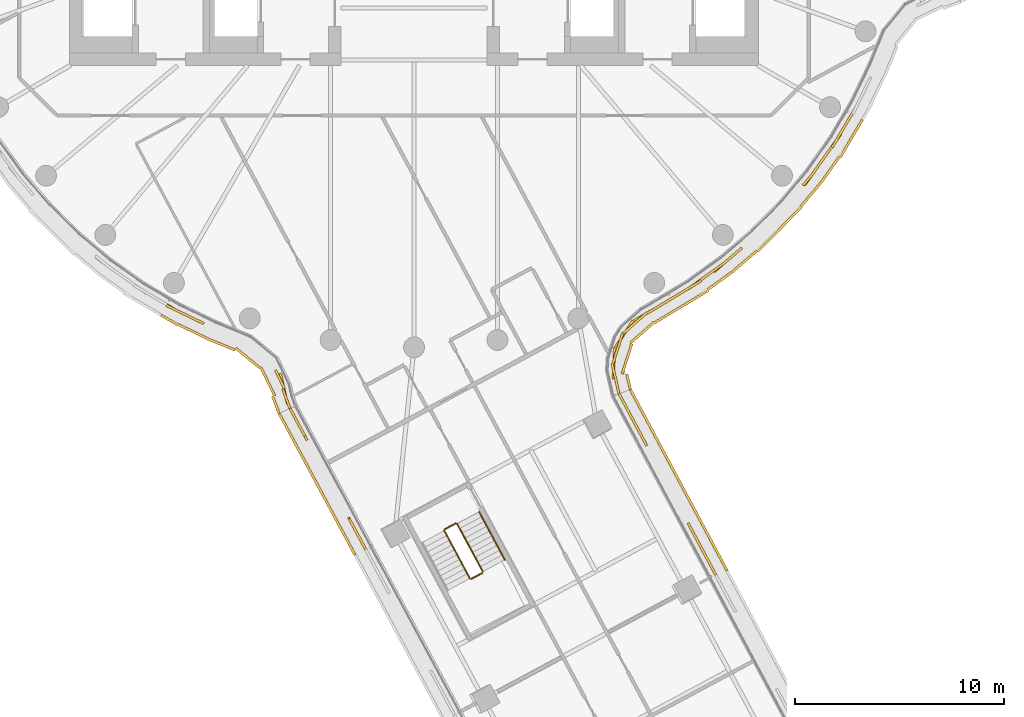
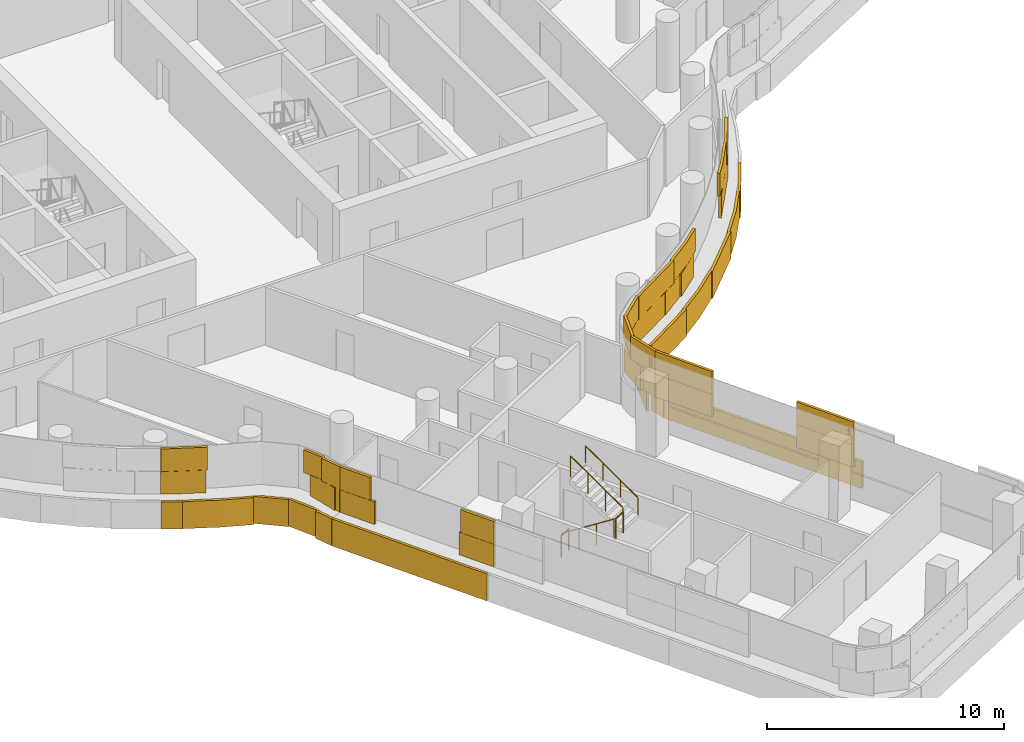
# One storey, part 26 of 33: 5 railings, 4 coverings.
"""IFC4 building model written with IfcOpenShell, lengths in metres."""

from ifc_helpers import new_model, si_unit, direction, frame, origin, origin_2d, place, context, subcontext, project, spatial, rectangle, circle, extrude, material, layer, layer_set, type_object, element, save


model = new_model("IFC4")

# Units and contexts
model_context = context("Model", 3, precision=1e-05, world=origin(), true_north=direction((0.0, 1.0)))
body_context = subcontext(model_context, "Body", "Model", "MODEL_VIEW")
ifc_project = project(units=[si_unit("LENGTHUNIT", "METRE"), si_unit("AREAUNIT", "SQUARE_METRE"), si_unit("VOLUMEUNIT", "CUBIC_METRE"), si_unit("PLANEANGLEUNIT", "RADIAN"), si_unit("MASSUNIT", "GRAM", prefix="KILO")], contexts=[model_context])

# Site, building, storey
site_placement = place(None, origin())
site = spatial("IfcSite", under=ifc_project, at=site_placement, CompositionType="ELEMENT")
building_placement = place(site_placement, origin())
building = spatial("IfcBuilding", under=site, at=building_placement, Name="Tamarind Cross Interchange Tower", CompositionType="ELEMENT")
storey_placement = place(building_placement, frame((0.0, 0.0, 136.75)))
storey = spatial("IfcBuildingStorey", under=building, at=storey_placement, Name="L33", CompositionType="ELEMENT", Elevation=136.75)

# Railings
ifc_material_1 = material(Name="Stair guard")
railing_type_1 = type_object("IfcRailingType", Name="Stair guard", PredefinedType="GUARDRAIL", material=ifc_material_1)
railing_1_placement = place(storey_placement, frame((1.444091796875, -31.77880859375, 0.17041015625)))
element("IfcRailing", 1, at=railing_1_placement, inside=storey, type_object=railing_type_1, Name="L33 ST6 stair guard 1", PredefinedType="GUARDRAIL", context=body_context, shape_type="SweptSolid", body=[
    extrude(circle(Radius=0.02392578125, at=origin_2d()), frame((0.0, 0.0, 1.076171875), z_axis=(0.395303833434, -0.73697387302, 0.548274009742), x_axis=(0.88123277385, 0.47268255552, 0.0)), (0.0, 0.0, 1.0), 3.109130859375),
    extrude(circle(Radius=0.02099609375, at=origin_2d()), origin(), (0.0, 0.0, 1.0), 1.052001953125),
    extrude(circle(Radius=0.02099609375, at=origin_2d()), frame((0.40966796875, -0.763671875, 0.568115234375)), (0.0, 0.0, 1.0), 1.052001953125),
    extrude(circle(Radius=0.02099609375, at=origin_2d()), frame((0.8193359375, -1.527587890625, 1.136474609375)), (0.0, 0.0, 1.0), 1.052001953125),
    extrude(circle(Radius=0.02099609375, at=origin_2d()), frame((1.22900390625, -2.291259765625, 1.70458984375)), (0.0, 0.0, 1.0), 1.052001953125),
])
railing_2_placement = place(storey_placement, frame((2.74072265625, -34.090576171875, 1.875)))
element("IfcRailing", 2, at=railing_2_placement, inside=storey, type_object=railing_type_1, Name="L33 ST6 stair guard 2", PredefinedType="GUARDRAIL", context=body_context, shape_type="SweptSolid", body=[
    extrude(circle(Radius=0.02392578125, at=origin_2d()), frame((0.0, 0.0, 1.076171875), z_axis=(0.881201605755, 0.472740658305, 0.0), x_axis=(-0.472740658305, 0.881201605755, 0.0)), (0.0, 0.0, 1.0), 0.60009765625),
    extrude(circle(Radius=0.02099609375, at=origin_2d()), origin(), (0.0, 0.0, 1.0), 1.052001953125),
    extrude(circle(Radius=0.02099609375, at=origin_2d()), frame((0.52880859375, 0.28369140625, 0.0)), (0.0, 0.0, 1.0), 1.052001953125),
])
railing_3_placement = place(storey_placement, frame((3.289794921875, -33.7392578125, 2.04541015625)))
element("IfcRailing", 3, at=railing_3_placement, inside=storey, type_object=railing_type_1, Name="L33 ST6 stair guard 3", PredefinedType="GUARDRAIL", context=body_context, shape_type="SweptSolid", body=[
    extrude(circle(Radius=0.02392578125, at=origin_2d()), frame((0.0, 0.0, 1.076171875), z_axis=(-0.395303833434, 0.73697387302, 0.548274009742), x_axis=(-0.88123277385, -0.47268255552, 0.0)), (0.0, 0.0, 1.0), 3.109130859375),
    extrude(circle(Radius=0.02099609375, at=origin_2d()), origin(), (0.0, 0.0, 1.0), 1.052001953125),
    extrude(circle(Radius=0.02099609375, at=origin_2d()), frame((-0.40966796875, 0.763671875, 0.568115234375)), (0.0, 0.0, 1.0), 1.052001953125),
    extrude(circle(Radius=0.02099609375, at=origin_2d()), frame((-0.8193359375, 1.527587890625, 1.136474609375)), (0.0, 0.0, 1.0), 1.052001953125),
    extrude(circle(Radius=0.02099609375, at=origin_2d()), frame((-1.22900390625, 2.291259765625, 1.70458984375)), (0.0, 0.0, 1.0), 1.052001953125),
])
railing_4_placement = place(storey_placement, frame((1.46435546875, -31.711181640625, 0.0)))
element("IfcRailing", 4, at=railing_4_placement, inside=storey, type_object=railing_type_1, Name="L33 ST6 stair guard 4", PredefinedType="GUARDRAIL", context=body_context, shape_type="SweptSolid", body=[
    extrude(circle(Radius=0.02392578125, at=origin_2d()), frame((0.0, 0.0, 1.076171875), z_axis=(0.881201605755, 0.472740658305, 0.0), x_axis=(-0.472740658305, 0.881201605755, 0.0)), (0.0, 0.0, 1.0), 0.60009765625),
    extrude(circle(Radius=0.02099609375, at=origin_2d()), origin(), (0.0, 0.0, 1.0), 1.052001953125),
    extrude(circle(Radius=0.02099609375, at=origin_2d()), frame((0.52880859375, 0.28369140625, 0.0)), (0.0, 0.0, 1.0), 1.052001953125),
])
ifc_material_2 = material(Name="Stair handrail")
railing_type_2 = type_object("IfcRailingType", Name="Stair handrail", PredefinedType="HANDRAIL", material=ifc_material_2)
railing_5_placement = place(storey_placement, frame((4.347412109375, -33.171875, 2.04541015625)))
element("IfcRailing", 5, at=railing_5_placement, inside=storey, type_object=railing_type_2, Name="L33 ST6 stair handrail 2", PredefinedType="HANDRAIL", context=body_context, shape_type="SweptSolid", body=[
    extrude(circle(Radius=0.02392578125, at=origin_2d()), frame((0.0, 0.0, 0.8759765625), z_axis=(-0.395326711299, 0.736937993412, 0.548305740622), x_axis=(-0.881211791727, -0.472721670882, 0.0)), (0.0, 0.0, 1.0), 3.10888671875),
    extrude(circle(Radius=0.02099609375, at=origin_2d()), origin(), (0.0, 0.0, 1.0), 0.851806640625),
    extrude(circle(Radius=0.02099609375, at=origin_2d()), frame((-0.40966796875, 0.763671875, 0.568115234375)), (0.0, 0.0, 1.0), 0.851806640625),
    extrude(circle(Radius=0.02099609375, at=origin_2d()), frame((-0.8193359375, 1.52734375, 1.136474609375)), (0.0, 0.0, 1.0), 0.851806640625),
    extrude(circle(Radius=0.02099609375, at=origin_2d()), frame((-1.22900390625, 2.291015625, 1.70458984375)), (0.0, 0.0, 1.0), 0.851806640625),
])

# Coverings
ifc_material_3 = material(Name="Terracotta", Category="masonry")
ifc_layer = layer(ifc_material_3, 0.1201171875)
ifc_layer_set = layer_set([ifc_layer], Name="Terracotta")
covering_type = type_object("IfcCoveringType", Name="Terracotta baguette screen unit", PredefinedType="MOLDING", material=ifc_layer_set)
covering_1_placement = place(storey_placement, origin())
element("IfcCovering", 6, at=covering_1_placement, inside=storey, type_object=covering_type, Name="SCR-L33-06-01", PredefinedType="MOLDING", context=body_context, shape_type="SweptSolid", body=[
    extrude(rectangle(XDim=0.41064453125, YDim=0.1201171875, at=origin_2d()), frame((-11.6533203125, -21.06640625, 1.404052734375), z_axis=(0.0, 0.0, 1.0), x_axis=(0.861248933065, -0.508183308752, 0.0)), (0.0, 0.0, 1.0), 1.1669921875),
    extrude(rectangle(XDim=1.52001953125, YDim=0.1201171875, at=origin_2d()), frame((-10.810546875, -21.50390625, 1.404052734375), z_axis=(0.0, 0.0, 1.0), x_axis=(0.900272776334, -0.435326231914, 0.0)), (0.0, 0.0, 1.0), 1.1669921875),
    extrude(rectangle(XDim=1.52001953125, YDim=0.1201171875, at=origin_2d()), frame((-6.2333984375, -24.978759765625, 1.404052734375), z_axis=(0.0, 0.0, 1.0), x_axis=(0.228513991615, -0.973540628652, 0.0)), (0.0, 0.0, 1.0), 1.1669921875),
    extrude(rectangle(XDim=0.254150390625, YDim=0.1201171875, at=origin_2d()), frame((-5.982666015625, -25.81201171875, 1.404052734375), z_axis=(0.0, 0.0, 1.0), x_axis=(0.353631573969, -0.935384792421, 0.0)), (0.0, 0.0, 1.0), 1.1669921875),
    extrude(rectangle(XDim=1.16064453125, YDim=0.1201171875, at=origin_2d()), frame((-11.328369140625, -21.25341796875, 2.5791015625), z_axis=(0.0, 0.0, 1.0), x_axis=(0.900272776334, -0.435326231914, 0.0)), (0.0, 0.0, 1.0), 1.1669921875),
    extrude(rectangle(XDim=0.831787109375, YDim=0.1201171875, at=origin_2d()), frame((-10.440673828125, -21.682861328125, 2.5791015625), z_axis=(0.0, 0.0, 1.0), x_axis=(0.900272776334, -0.435326231914, 0.0)), (0.0, 0.0, 1.0), 1.1669921875),
    extrude(rectangle(XDim=0.98828125, YDim=0.1201171875, at=origin_2d()), frame((-6.421875, -24.52978515625, 2.5791015625), z_axis=(0.0, 0.0, 1.0), x_axis=(0.435397658199, -0.900238234711, 0.0)), (0.0, 0.0, 1.0), 1.1669921875),
    extrude(rectangle(XDim=1.004150390625, YDim=0.1201171875, at=origin_2d()), frame((-6.115234375, -25.46142578125, 2.5791015625), z_axis=(0.0, 0.0, 1.0), x_axis=(0.353631573969, -0.935384792421, 0.0)), (0.0, 0.0, 1.0), 1.1669921875),
    extrude(rectangle(XDim=0.914794921875, YDim=0.1201171875, at=origin_2d()), frame((-11.7138671875, -21.697265625, 0.00390625), z_axis=(0.0, 0.0, 1.0), x_axis=(0.861248933065, -0.508183308752, 0.0)), (0.0, 0.0, 1.0), 1.39208984375),
    extrude(rectangle(XDim=1.52001953125, YDim=0.1201171875, at=origin_2d()), frame((-10.63916015625, -22.224365234375, 0.00390625), z_axis=(0.0, 0.0, 1.0), x_axis=(0.900272776334, -0.435326231914, 0.0)), (0.0, 0.0, 1.0), 1.39208984375),
    extrude(rectangle(XDim=1.52001953125, YDim=0.1201171875, at=origin_2d()), frame((-9.27392578125, -22.844482421875, 0.00390625), z_axis=(0.0, 0.0, 1.0), x_axis=(0.925394198634, -0.379006038387, 0.0)), (0.0, 0.0, 1.0), 1.39208984375),
    extrude(rectangle(XDim=1.52001953125, YDim=0.1201171875, at=origin_2d()), frame((-7.95068359375, -23.521484375, 0.00390625), z_axis=(0.0, 0.0, 1.0), x_axis=(0.772623877256, -0.634864036069, 0.0)), (0.0, 0.0, 1.0), 1.39208984375),
    extrude(rectangle(XDim=1.52001953125, YDim=0.1201171875, at=origin_2d()), frame((-7.00537109375, -24.641845703125, 0.00390625), z_axis=(0.0, 0.0, 1.0), x_axis=(0.435397658199, -0.900238234711, 0.0)), (0.0, 0.0, 1.0), 1.39208984375),
    extrude(rectangle(XDim=0.882568359375, YDim=0.1201171875, at=origin_2d()), frame((-6.619140625, -25.751708984375, 0.00390625), z_axis=(0.0, 0.0, 1.0), x_axis=(0.353631573969, -0.935384792421, 0.0)), (0.0, 0.0, 1.0), 1.39208984375),
])
covering_2_placement = place(storey_placement, origin())
element("IfcCovering", 7, at=covering_2_placement, inside=storey, type_object=covering_type, Name="SCR-L33-07-00", PredefinedType="MOLDING", context=body_context, shape_type="SweptSolid", body=[
    extrude(rectangle(XDim=0.760009765625, YDim=0.1201171875, at=origin_2d()), frame((-5.76220703125, -26.2568359375, 1.404052734375), z_axis=(0.0, 0.0, 1.0), x_axis=(0.472698422046, -0.881224263054, 0.0)), (0.0, 0.0, 1.0), 1.1669921875),
    extrude(rectangle(XDim=0.983642578125, YDim=0.1201171875, at=origin_2d()), frame((-5.35498046875, -27.01611328125, 1.404052734375), z_axis=(0.0, 0.0, 1.0), x_axis=(0.472698422046, -0.881224263054, 0.0)), (0.0, 0.0, 1.0), 1.1669921875),
    extrude(rectangle(XDim=0.83642578125, YDim=0.1201171875, at=origin_2d()), frame((-2.944091796875, -31.510498046875, 1.404052734375), z_axis=(0.0, 0.0, 1.0), x_axis=(0.472698422046, -0.881224263054, 0.0)), (0.0, 0.0, 1.0), 1.1669921875),
    extrude(rectangle(XDim=0.9072265625, YDim=0.1201171875, at=origin_2d()), frame((-2.53662109375, -32.27001953125, 1.404052734375), z_axis=(0.0, 0.0, 1.0), x_axis=(0.472698422046, -0.881224263054, 0.0)), (0.0, 0.0, 1.0), 1.1669921875),
    extrude(rectangle(XDim=1.510009765625, YDim=0.1201171875, at=origin_2d()), frame((-5.5849609375, -26.587158203125, 2.5791015625), z_axis=(0.0, 0.0, 1.0), x_axis=(0.472698422046, -0.881224263054, 0.0)), (0.0, 0.0, 1.0), 1.1669921875),
    extrude(rectangle(XDim=1.52001953125, YDim=0.1201171875, at=origin_2d()), frame((-2.748779296875, -31.87451171875, 2.5791015625), z_axis=(0.0, 0.0, 1.0), x_axis=(0.472698422046, -0.881224263054, 0.0)), (0.0, 0.0, 1.0), 1.1669921875),
    extrude(rectangle(XDim=0.1572265625, YDim=0.1201171875, at=origin_2d()), frame((-2.359375, -32.600341796875, 2.5791015625), z_axis=(0.0, 0.0, 1.0), x_axis=(0.472698422046, -0.881224263054, 0.0)), (0.0, 0.0, 1.0), 1.1669921875),
    extrude(rectangle(XDim=0.760009765625, YDim=0.1201171875, at=origin_2d()), frame((-6.283447265625, -26.499267578125, 0.00390625), z_axis=(0.0, 0.0, 1.0), x_axis=(0.472698422046, -0.881224263054, 0.0)), (0.0, 0.0, 1.0), 1.39208984375),
    extrude(rectangle(XDim=1.52001953125, YDim=0.1201171875, at=origin_2d()), frame((-5.754150390625, -27.486328125, 0.00390625), z_axis=(0.0, 0.0, 1.0), x_axis=(0.472698422046, -0.881224263054, 0.0)), (0.0, 0.0, 1.0), 1.39208984375),
    extrude(rectangle(XDim=1.52001953125, YDim=0.1201171875, at=origin_2d()), frame((-5.044921875, -28.80810546875, 0.00390625), z_axis=(0.0, 0.0, 1.0), x_axis=(0.472698422046, -0.881224263054, 0.0)), (0.0, 0.0, 1.0), 1.39208984375),
    extrude(rectangle(XDim=1.52001953125, YDim=0.1201171875, at=origin_2d()), frame((-4.3359375, -30.1298828125, 0.00390625), z_axis=(0.0, 0.0, 1.0), x_axis=(0.472698422046, -0.881224263054, 0.0)), (0.0, 0.0, 1.0), 1.39208984375),
    extrude(rectangle(XDim=1.52001953125, YDim=0.1201171875, at=origin_2d()), frame((-3.626953125, -31.451904296875, 0.00390625), z_axis=(0.0, 0.0, 1.0), x_axis=(0.472698422046, -0.881224263054, 0.0)), (0.0, 0.0, 1.0), 1.39208984375),
    extrude(rectangle(XDim=0.942138671875, YDim=0.1201171875, at=origin_2d()), frame((-3.054443359375, -32.51904296875, 0.00390625), z_axis=(0.0, 0.0, 1.0), x_axis=(0.472698422046, -0.881224263054, 0.0)), (0.0, 0.0, 1.0), 1.39208984375),
])
covering_3_placement = place(storey_placement, origin())
element("IfcCovering", 8, at=covering_3_placement, inside=storey, type_object=covering_type, Name="SCR-L33-09-01", PredefinedType="MOLDING", context=body_context, shape_type="SweptSolid", body=[
    extrude(rectangle(XDim=0.072021484375, YDim=0.1201171875, at=origin_2d()), frame((14.430908203125, -33.869384765625, 1.404052734375), z_axis=(0.0, 0.0, 1.0), x_axis=(-0.47095879505, 0.88215520934, 0.0)), (0.0, 0.0, 1.0), 1.1669921875),
    extrude(rectangle(XDim=1.52001953125, YDim=0.1201171875, at=origin_2d()), frame((14.06298828125, -33.180419921875, 1.404052734375), z_axis=(0.0, 0.0, 1.0), x_axis=(-0.47095879505, 0.88215520934, 0.0)), (0.0, 0.0, 1.0), 1.1669921875),
    extrude(rectangle(XDim=1.26416015625, YDim=0.1201171875, at=origin_2d()), frame((13.41455078125, -31.965576171875, 1.404052734375), z_axis=(0.0, 0.0, 1.0), x_axis=(-0.47095879505, 0.88215520934, 0.0)), (0.0, 0.0, 1.0), 1.1669921875),
    extrude(rectangle(XDim=0.5556640625, YDim=0.1201171875, at=origin_2d()), frame((11.012451171875, -27.466552734375, 1.404052734375), z_axis=(0.0, 0.0, 1.0), x_axis=(-0.47095879505, 0.88215520934, 0.0)), (0.0, 0.0, 1.0), 1.1669921875),
    extrude(rectangle(XDim=1.52001953125, YDim=0.1201171875, at=origin_2d()), frame((10.53076171875, -26.564208984375, 1.404052734375), z_axis=(0.0, 0.0, 1.0), x_axis=(-0.47095879505, 0.88215520934, 0.0)), (0.0, 0.0, 1.0), 1.1669921875),
    extrude(rectangle(XDim=0.780517578125, YDim=0.1201171875, at=origin_2d()), frame((9.99609375, -25.562744140625, 1.404052734375), z_axis=(0.0, 0.0, 1.0), x_axis=(-0.47095879505, 0.88215520934, 0.0)), (0.0, 0.0, 1.0), 1.1669921875),
    extrude(rectangle(XDim=0.822021484375, YDim=0.1201171875, at=origin_2d()), frame((14.254150390625, -33.53857421875, 2.5791015625), z_axis=(0.0, 0.0, 1.0), x_axis=(-0.47095879505, 0.88215520934, 0.0)), (0.0, 0.0, 1.0), 1.1669921875),
    extrude(rectangle(XDim=1.52001953125, YDim=0.1201171875, at=origin_2d()), frame((13.709716796875, -32.518798828125, 2.5791015625), z_axis=(0.0, 0.0, 1.0), x_axis=(-0.47095879505, 0.88215520934, 0.0)), (0.0, 0.0, 1.0), 1.1669921875),
    extrude(rectangle(XDim=0.51416015625, YDim=0.1201171875, at=origin_2d()), frame((13.23779296875, -31.634765625, 2.5791015625), z_axis=(0.0, 0.0, 1.0), x_axis=(-0.47095879505, 0.88215520934, 0.0)), (0.0, 0.0, 1.0), 1.1669921875),
    extrude(rectangle(XDim=1.3056640625, YDim=0.1201171875, at=origin_2d()), frame((10.8359375, -27.1357421875, 2.5791015625), z_axis=(0.0, 0.0, 1.0), x_axis=(-0.47095879505, 0.88215520934, 0.0)), (0.0, 0.0, 1.0), 1.1669921875),
    extrude(rectangle(XDim=1.52001953125, YDim=0.1201171875, at=origin_2d()), frame((10.177734375, -25.902587890625, 2.5791015625), z_axis=(0.0, 0.0, 1.0), x_axis=(-0.47095879505, 0.88215520934, 0.0)), (0.0, 0.0, 1.0), 1.1669921875),
    extrude(rectangle(XDim=0.030517578125, YDim=0.1201171875, at=origin_2d()), frame((9.819580078125, -25.23193359375, 2.5791015625), z_axis=(0.0, 0.0, 1.0), x_axis=(-0.47095879505, 0.88215520934, 0.0)), (0.0, 0.0, 1.0), 1.1669921875),
    extrude(rectangle(XDim=0.072998046875, YDim=0.1201171875, at=origin_2d()), frame((14.970458984375, -33.6611328125, 0.00390625), z_axis=(0.0, 0.0, 1.0), x_axis=(-0.47095879505, 0.88215520934, 0.0)), (0.0, 0.0, 1.0), 1.39208984375),
    extrude(rectangle(XDim=1.52001953125, YDim=0.1201171875, at=origin_2d()), frame((14.604736328125, -32.97607421875, 0.00390625), z_axis=(0.0, 0.0, 1.0), x_axis=(-0.47095879505, 0.88215520934, 0.0)), (0.0, 0.0, 1.0), 1.39208984375),
    extrude(rectangle(XDim=1.52001953125, YDim=0.1201171875, at=origin_2d()), frame((13.898193359375, -31.653076171875, 0.00390625), z_axis=(0.0, 0.0, 1.0), x_axis=(-0.47095879505, 0.88215520934, 0.0)), (0.0, 0.0, 1.0), 1.39208984375),
    extrude(rectangle(XDim=1.52001953125, YDim=0.1201171875, at=origin_2d()), frame((13.19189453125, -30.329833984375, 0.00390625), z_axis=(0.0, 0.0, 1.0), x_axis=(-0.47095879505, 0.88215520934, 0.0)), (0.0, 0.0, 1.0), 1.39208984375),
    extrude(rectangle(XDim=1.52001953125, YDim=0.1201171875, at=origin_2d()), frame((12.4853515625, -29.006591796875, 0.00390625), z_axis=(0.0, 0.0, 1.0), x_axis=(-0.47095879505, 0.88215520934, 0.0)), (0.0, 0.0, 1.0), 1.39208984375),
    extrude(rectangle(XDim=1.52001953125, YDim=0.1201171875, at=origin_2d()), frame((11.779052734375, -27.683349609375, 0.00390625), z_axis=(0.0, 0.0, 1.0), x_axis=(-0.47095879505, 0.88215520934, 0.0)), (0.0, 0.0, 1.0), 1.39208984375),
    extrude(rectangle(XDim=1.52001953125, YDim=0.1201171875, at=origin_2d()), frame((11.072509765625, -26.360107421875, 0.00390625), z_axis=(0.0, 0.0, 1.0), x_axis=(-0.47095879505, 0.88215520934, 0.0)), (0.0, 0.0, 1.0), 1.39208984375),
    extrude(rectangle(XDim=0.77880859375, YDim=0.1201171875, at=origin_2d()), frame((10.54052734375, -25.36376953125, 0.00390625), z_axis=(0.0, 0.0, 1.0), x_axis=(-0.47095879505, 0.88215520934, 0.0)), (0.0, 0.0, 1.0), 1.39208984375),
])
covering_4_placement = place(storey_placement, origin())
element("IfcCovering", 9, at=covering_4_placement, inside=storey, type_object=covering_type, Name="SCR-L33-10-00", PredefinedType="MOLDING", context=body_context, shape_type="SweptSolid", body=[
    extrude(rectangle(XDim=0.760009765625, YDim=0.1201171875, at=origin_2d()), frame((9.731201171875, -24.857177734375, 1.404052734375), z_axis=(0.0, 0.0, 1.0), x_axis=(-0.222401182673, 0.974955236893, 0.0)), (0.0, 0.0, 1.0), 1.1669921875),
    extrude(rectangle(XDim=1.52001953125, YDim=0.1201171875, at=origin_2d()), frame((9.5712890625, -23.752197265625, 1.404052734375), z_axis=(0.0, 0.0, 1.0), x_axis=(0.04378310804, 0.999041059942, 0.0)), (0.0, 0.0, 1.0), 1.1669921875),
    extrude(rectangle(XDim=1.52001953125, YDim=0.1201171875, at=origin_2d()), frame((10.06689453125, -22.353759765625, 1.404052734375), z_axis=(0.0, 0.0, 1.0), x_axis=(0.547977610747, 0.836492999444, 0.0)), (0.0, 0.0, 1.0), 1.1669921875),
    extrude(rectangle(XDim=1.52001953125, YDim=0.1201171875, at=origin_2d()), frame((11.173583984375, -21.355224609375, 1.404052734375), z_axis=(0.0, 0.0, 1.0), x_axis=(0.864255871509, 0.503052470984, 0.0)), (0.0, 0.0, 1.0), 1.1669921875),
    extrude(rectangle(XDim=1.52001953125, YDim=0.1201171875, at=origin_2d()), frame((12.462158203125, -20.58740234375, 1.404052734375), z_axis=(0.0, 0.0, 1.0), x_axis=(0.856843065292, 0.515577308909, 0.0)), (0.0, 0.0, 1.0), 1.1669921875),
    extrude(rectangle(XDim=1.52001953125, YDim=0.1201171875, at=origin_2d()), frame((13.7216796875, -19.77490234375, 1.404052734375), z_axis=(0.0, 0.0, 1.0), x_axis=(0.811340475102, 0.584573890505, 0.0)), (0.0, 0.0, 1.0), 1.1669921875),
    extrude(rectangle(XDim=1.52001953125, YDim=0.1201171875, at=origin_2d()), frame((14.934814453125, -18.892822265625, 1.404052734375), z_axis=(0.0, 0.0, 1.0), x_axis=(0.760295606781, 0.64957723968, 0.0)), (0.0, 0.0, 1.0), 1.1669921875),
    extrude(rectangle(XDim=1.52001953125, YDim=0.1201171875, at=origin_2d()), frame((19.1318359375, -14.625732421875, 1.404052734375), z_axis=(0.0, 0.0, 1.0), x_axis=(0.577568978284, 0.816341886298, 0.0)), (0.0, 0.0, 1.0), 1.1669921875),
    extrude(rectangle(XDim=1.52001953125, YDim=0.1201171875, at=origin_2d()), frame((19.998046875, -13.4013671875, 1.404052734375), z_axis=(0.0, 0.0, 1.0), x_axis=(0.577568978284, 0.816341886298, 0.0)), (0.0, 0.0, 1.0), 1.1669921875),
    extrude(rectangle(XDim=1.109375, YDim=0.1201171875, at=origin_2d()), frame((20.685302734375, -12.29931640625, 1.404052734375), z_axis=(0.0, 0.0, 1.0), x_axis=(0.508183308752, 0.861248933065, 0.0)), (0.0, 0.0, 1.0), 1.1669921875),
    extrude(rectangle(XDim=1.510009765625, YDim=0.1201171875, at=origin_2d()), frame((9.64794921875, -24.49169921875, 2.5791015625), z_axis=(0.0, 0.0, 1.0), x_axis=(-0.222401182673, 0.974955236893, 0.0)), (0.0, 0.0, 1.0), 1.1669921875),
    extrude(rectangle(XDim=1.52001953125, YDim=0.1201171875, at=origin_2d()), frame((9.76025390625, -23.031005859375, 2.5791015625), z_axis=(0.0, 0.0, 1.0), x_axis=(0.306839787304, 0.951761180616, 0.0)), (0.0, 0.0, 1.0), 1.1669921875),
    extrude(rectangle(XDim=1.52001953125, YDim=0.1201171875, at=origin_2d()), frame((10.59326171875, -21.826416015625, 2.5791015625), z_axis=(0.0, 0.0, 1.0), x_axis=(0.74997109005, 0.661470607124, 0.0)), (0.0, 0.0, 1.0), 1.1669921875),
    extrude(rectangle(XDim=1.52001953125, YDim=0.1201171875, at=origin_2d()), frame((11.819580078125, -20.97412109375, 2.5791015625), z_axis=(0.0, 0.0, 1.0), x_axis=(0.856843065292, 0.515577308909, 0.0)), (0.0, 0.0, 1.0), 1.1669921875),
    extrude(rectangle(XDim=1.52001953125, YDim=0.1201171875, at=origin_2d()), frame((13.10498046875, -20.20068359375, 2.5791015625), z_axis=(0.0, 0.0, 1.0), x_axis=(0.856843065292, 0.515577308909, 0.0)), (0.0, 0.0, 1.0), 1.1669921875),
    extrude(rectangle(XDim=1.52001953125, YDim=0.1201171875, at=origin_2d()), frame((14.330078125, -19.33642578125, 2.5791015625), z_axis=(0.0, 0.0, 1.0), x_axis=(0.811340475102, 0.584573890505, 0.0)), (0.0, 0.0, 1.0), 1.1669921875),
    extrude(rectangle(XDim=1.00927734375, YDim=0.1201171875, at=origin_2d()), frame((15.314697265625, -18.568359375, 2.5791015625), z_axis=(0.0, 0.0, 1.0), x_axis=(0.760295606781, 0.64957723968, 0.0)), (0.0, 0.0, 1.0), 1.1669921875),
    extrude(rectangle(XDim=0.810546875, YDim=0.1201171875, at=origin_2d()), frame((18.88134765625, -14.937744140625, 2.5791015625), z_axis=(0.0, 0.0, 1.0), x_axis=(0.643009266048, 0.765858396687, 0.0)), (0.0, 0.0, 1.0), 1.1669921875),
    extrude(rectangle(XDim=1.52001953125, YDim=0.1201171875, at=origin_2d()), frame((19.56494140625, -14.013427734375, 2.5791015625), z_axis=(0.0, 0.0, 1.0), x_axis=(0.577568978284, 0.816341886298, 0.0)), (0.0, 0.0, 1.0), 1.1669921875),
    extrude(rectangle(XDim=1.52001953125, YDim=0.1201171875, at=origin_2d()), frame((20.406005859375, -12.772705078125, 2.5791015625), z_axis=(0.0, 0.0, 1.0), x_axis=(0.508183308752, 0.861248933065, 0.0)), (0.0, 0.0, 1.0), 1.1669921875),
    extrude(rectangle(XDim=0.359375, YDim=0.1201171875, at=origin_2d()), frame((20.8759765625, -11.976318359375, 2.5791015625), z_axis=(0.0, 0.0, 1.0), x_axis=(0.508183308752, 0.861248933065, 0.0)), (0.0, 0.0, 1.0), 1.1669921875),
    extrude(rectangle(XDim=0.760009765625, YDim=0.1201171875, at=origin_2d()), frame((10.272705078125, -24.64990234375, 0.00390625), z_axis=(0.0, 0.0, 1.0), x_axis=(-0.222401182673, 0.974955236893, 0.0)), (0.0, 0.0, 1.0), 1.39208984375),
    extrude(rectangle(XDim=1.52001953125, YDim=0.1201171875, at=origin_2d()), frame((10.19482421875, -23.55322265625, 0.00390625), z_axis=(0.0, 0.0, 1.0), x_axis=(0.306839787304, 0.951761180616, 0.0)), (0.0, 0.0, 1.0), 1.39208984375),
    extrude(rectangle(XDim=1.52001953125, YDim=0.1201171875, at=origin_2d()), frame((10.932373046875, -22.292724609375, 0.00390625), z_axis=(0.0, 0.0, 1.0), x_axis=(0.74997109005, 0.661470607124, 0.0)), (0.0, 0.0, 1.0), 1.39208984375),
    extrude(rectangle(XDim=1.52001953125, YDim=0.1201171875, at=origin_2d()), frame((12.15869140625, -21.43994140625, 0.00390625), z_axis=(0.0, 0.0, 1.0), x_axis=(0.856843065292, 0.515577308909, 0.0)), (0.0, 0.0, 1.0), 1.39208984375),
    extrude(rectangle(XDim=1.52001953125, YDim=0.1201171875, at=origin_2d()), frame((13.44384765625, -20.66650390625, 0.00390625), z_axis=(0.0, 0.0, 1.0), x_axis=(0.856843065292, 0.515577308909, 0.0)), (0.0, 0.0, 1.0), 1.39208984375),
    extrude(rectangle(XDim=1.52001953125, YDim=0.1201171875, at=origin_2d()), frame((14.66796875, -19.800537109375, 0.00390625), z_axis=(0.0, 0.0, 1.0), x_axis=(0.811340475102, 0.584573890505, 0.0)), (0.0, 0.0, 1.0), 1.39208984375),
    extrude(rectangle(XDim=1.52001953125, YDim=0.1201171875, at=origin_2d()), frame((15.84375, -18.87109375, 0.00390625), z_axis=(0.0, 0.0, 1.0), x_axis=(0.760295606781, 0.64957723968, 0.0)), (0.0, 0.0, 1.0), 1.39208984375),
    extrude(rectangle(XDim=1.52001953125, YDim=0.1201171875, at=origin_2d()), frame((16.96923828125, -17.880615234375, 0.00390625), z_axis=(0.0, 0.0, 1.0), x_axis=(0.704057148523, 0.710143317658, 0.0)), (0.0, 0.0, 1.0), 1.39208984375),
    extrude(rectangle(XDim=1.52001953125, YDim=0.1201171875, at=origin_2d()), frame((18.025390625, -16.815185546875, 0.00390625), z_axis=(0.0, 0.0, 1.0), x_axis=(0.704057148523, 0.710143317658, 0.0)), (0.0, 0.0, 1.0), 1.39208984375),
    extrude(rectangle(XDim=1.52001953125, YDim=0.1201171875, at=origin_2d()), frame((19.00634765625, -15.681640625, 0.00390625), z_axis=(0.0, 0.0, 1.0), x_axis=(0.643009266048, 0.765858396687, 0.0)), (0.0, 0.0, 1.0), 1.39208984375),
    extrude(rectangle(XDim=1.52001953125, YDim=0.1201171875, at=origin_2d()), frame((19.925537109375, -14.497802734375, 0.00390625), z_axis=(0.0, 0.0, 1.0), x_axis=(0.577568978284, 0.816341886298, 0.0)), (0.0, 0.0, 1.0), 1.39208984375),
    extrude(rectangle(XDim=1.52001953125, YDim=0.1201171875, at=origin_2d()), frame((20.781005859375, -13.266357421875, 0.00390625), z_axis=(0.0, 0.0, 1.0), x_axis=(0.508183308752, 0.861248933065, 0.0)), (0.0, 0.0, 1.0), 1.39208984375),
    extrude(rectangle(XDim=0.605224609375, YDim=0.1201171875, at=origin_2d()), frame((21.31103515625, -12.368408203125, 0.00390625), z_axis=(0.0, 0.0, 1.0), x_axis=(0.508183308752, 0.861248933065, 0.0)), (0.0, 0.0, 1.0), 1.39208984375),
])

save(model, "model.ifc")
